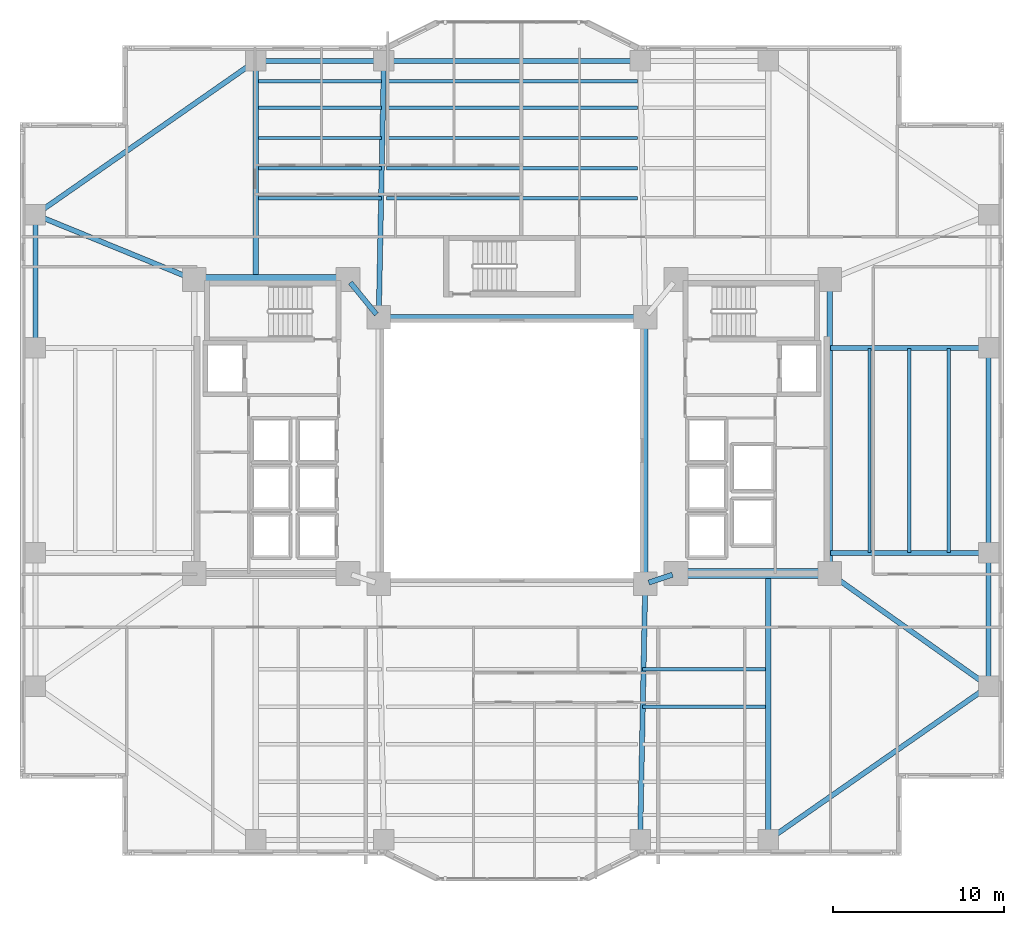
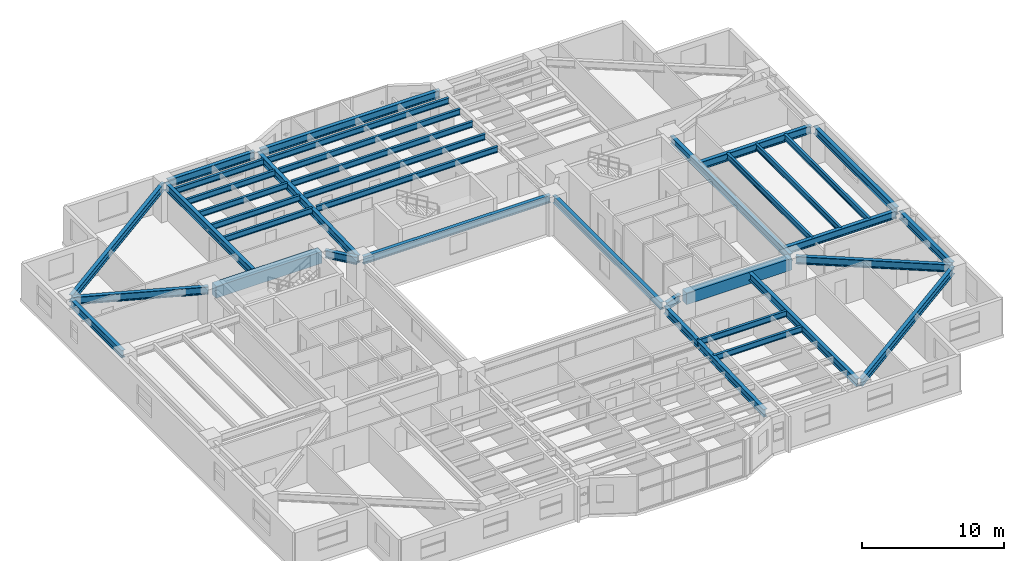
# One storey, part 5 of 19: 37 beams.
"""IFC4 building model written with IfcOpenShell, lengths in metres."""

import ifcopenshell
import ifcopenshell.guid

model = None  # the IFC model being written
_history = None  # IfcOwnerHistory: only IFC2X3 demands one
_inside = {}  # id of a spatial element -> (the spatial element, [elements in it])
_under = {}  # id of a project, library or spatial element -> (it, [spatial elements below it])
_declared = {}  # id of a project -> (the project, [libraries it declares])
_typed = {}  # id of a type object -> (the type object, [elements of that type])
_made_of = {}  # id of a material, layer set ... -> (it, [elements and type objects made of it])


def new_model(schema):
    """Start an empty IFC model of exactly this schema.

    Asked for "IFC4X3", IfcOpenShell would pick the latest addendum, in which some entities
    have other attributes; the version numbers below select the first issue.
    IFC2X3 requires an IfcOwnerHistory on every rooted entity: one is made here for all.
    """
    global model, _history
    if schema == "IFC4X3":
        model = ifcopenshell.file(schema_version=(4, 3, 0, 0))
    else:
        model = ifcopenshell.file(schema=schema)
    _inside.clear()
    _under.clear()
    _declared.clear()
    _typed.clear()
    _made_of.clear()
    _history = None
    if model.schema == "IFC2X3":
        org = make("IfcOrganization", Name="unknown")
        user = make(
            "IfcPersonAndOrganization",
            ThePerson=make("IfcPerson", FamilyName="unknown"),
            TheOrganization=org,
        )
        app = make(
            "IfcApplication",
            ApplicationDeveloper=org,
            Version="unknown",
            ApplicationFullName="unknown",
            ApplicationIdentifier="unknown",
        )
        _history = make(
            "IfcOwnerHistory",
            OwningUser=user,
            OwningApplication=app,
            ChangeAction="ADDED",
            CreationDate=0,
        )
    return model


def make(cls, **values):
    """One entity of the class cls with the attributes given. An attribute that is None is left unset."""
    return model.create_entity(
        cls, **{name: value for name, value in values.items() if value is not None}
    )


def rooted(cls, **values):
    """An entity with a GlobalId (a new one), such as an element, a storey or a relation."""
    return make(cls, GlobalId=ifcopenshell.guid.new(), OwnerHistory=_history, **values)


def si_unit(unit_type, name, prefix=None):
    """IfcSIUnit, for example si_unit("LENGTHUNIT", "METRE", prefix="MILLI")."""
    return make("IfcSIUnit", UnitType=unit_type, Prefix=prefix, Name=name)


def assignment(units):
    """IfcUnitAssignment: the units of a project."""
    return None if units is None else make("IfcUnitAssignment", Units=units)


def point(xyz):
    """IfcCartesianPoint."""
    return None if xyz is None else make("IfcCartesianPoint", Coordinates=xyz)


def direction(xyz):
    """IfcDirection."""
    return None if xyz is None else make("IfcDirection", DirectionRatios=xyz)


def frame(location, z_axis=None, x_axis=None):
    """IfcAxis2Placement3D, a coordinate frame: its origin and axes. An axis left out is left unset."""
    return make(
        "IfcAxis2Placement3D",
        Location=point(location),
        Axis=direction(z_axis),
        RefDirection=direction(x_axis),
    )


def frame_2d(location, x_axis=None):
    """IfcAxis2Placement2D, a coordinate frame in the plane: its origin and x axis."""
    return make(
        "IfcAxis2Placement2D", Location=point(location), RefDirection=direction(x_axis)
    )


def origin():
    """The frame at (0, 0, 0) with its axes left unset."""
    return frame((0.0, 0.0, 0.0))


def origin_2d():
    """The frame at (0, 0) in the plane with its x axis left unset."""
    return frame_2d((0.0, 0.0))


def place(relative_to, where):
    """IfcLocalPlacement: puts the frame where relative to a parent placement (None: the world)."""
    return make(
        "IfcLocalPlacement", PlacementRelTo=relative_to, RelativePlacement=where
    )


def context(
    kind, dimensions, precision=None, world=None, true_north=None, identifier=None
):
    """IfcGeometricRepresentationContext, for example the 3D "Model" context."""
    return make(
        "IfcGeometricRepresentationContext",
        ContextIdentifier=identifier,
        ContextType=kind,
        CoordinateSpaceDimension=dimensions,
        Precision=precision,
        WorldCoordinateSystem=world,
        TrueNorth=true_north,
    )


def subcontext(parent, identifier, kind, view, scale=None):
    """IfcGeometricRepresentationSubContext, for example "Body" below "Model"."""
    return make(
        "IfcGeometricRepresentationSubContext",
        ContextIdentifier=identifier,
        ContextType=kind,
        ParentContext=parent,
        TargetScale=scale,
        TargetView=view,
    )


def project(units=None, contexts=None):
    """IfcProject with its units and contexts."""
    return rooted(
        "IfcProject",
        Name="project",
        RepresentationContexts=contexts,
        UnitsInContext=assignment(units),
    )


def spatial(cls, under=None, at=None, **own):
    """A site, building, storey or space (cls), placed at a placement, below another one or the project."""
    s = rooted(cls, ObjectPlacement=at, **own)
    if under is not None:
        _under.setdefault(under.id(), (under, []))[1].append(s)
    return s


def profile(cls, at=None, kind="AREA", **sizes):
    """A parametric profile (cls). Its sizes go by their IFC names, for example OverallWidth=200.0."""
    return make(cls, ProfileType=kind, Position=at, **sizes)


def rectangle(**sizes):
    """IfcRectangleProfileDef."""
    return profile("IfcRectangleProfileDef", **sizes)


def i_section(**sizes):
    """IfcIShapeProfileDef."""
    return profile("IfcIShapeProfileDef", **sizes)


def extrude(swept, where, along, depth):
    """IfcExtrudedAreaSolid: the profile swept, set in the frame where, extruded along a direction by depth."""
    return make(
        "IfcExtrudedAreaSolid",
        SweptArea=swept,
        Position=where,
        ExtrudedDirection=direction(along),
        Depth=depth,
    )


def shape(context_of_items, identifier, shape_type, items):
    """IfcShapeRepresentation: the items that make up one representation, for example the "Body"."""
    return make(
        "IfcShapeRepresentation",
        ContextOfItems=context_of_items,
        RepresentationIdentifier=identifier,
        RepresentationType=shape_type,
        Items=items,
    )


def material(Name=None, Category=None):
    """IfcMaterial."""
    return make("IfcMaterial", Name=Name, Category=Category)


def material_profile(
    of_material, cross_section, Name=None, Category=None, Priority=None
):
    """IfcMaterialProfile: a cross section and its material."""
    return make(
        "IfcMaterialProfile",
        Name=Name,
        Material=of_material,
        Profile=cross_section,
        Priority=Priority,
        Category=Category,
    )


def profile_set(profiles, Name=None, composite=None):
    """IfcMaterialProfileSet."""
    return make(
        "IfcMaterialProfileSet",
        Name=Name,
        MaterialProfiles=profiles,
        CompositeProfile=composite,
    )


def made_of(thing, what):
    """Note that an element or type object is made of a material, layer set ...; save() writes the relation."""
    if what is not None:
        _made_of.setdefault(what.id(), (what, []))[1].append(thing)
    return thing


def type_object(cls, material=None, **own):
    """A type object (cls), such as IfcWallType, which elements share."""
    return made_of(rooted(cls, **own), material)


def element(
    cls,
    number,
    at=None,
    inside=None,
    cuts=None,
    type_object=None,
    material=None,
    context=None,
    identifier="Body",
    shape_type=None,
    held_by="IfcProductDefinitionShape",
    body=None,
    shapes=None,
    **own,
):
    """One element of the class cls, such as IfcWall. Its Tag is "e" and its number.

    at: its placement. inside: the storey or other place that contains it. cuts: it is an
    opening in that element (IfcRelVoidsElement). A single representation is given by context,
    identifier, shape_type and body (its items); several are given by shapes. held_by: the class
    of the entity that holds the representations. save() writes the other relations.
    """
    e = rooted(cls, Tag="e%d" % number, ObjectPlacement=at, **own)
    if body is not None:
        shapes = [shape(context, identifier, shape_type, body)]
    if shapes is not None:
        e.Representation = make(held_by, Representations=shapes)
    if inside is not None:
        _inside.setdefault(inside.id(), (inside, []))[1].append(e)
    if cuts is not None:
        rooted(
            "IfcRelVoidsElement", RelatingBuildingElement=cuts, RelatedOpeningElement=e
        )
    if type_object is not None:
        _typed.setdefault(type_object.id(), (type_object, []))[1].append(e)
    return made_of(e, material)


def aggregate(whole, parts):
    """IfcRelAggregates: a whole, such as a stair, and the parts it consists of."""
    return rooted("IfcRelAggregates", RelatingObject=whole, RelatedObjects=parts)


def save(model, path):
    """Write the relations noted so far, then the file.

    IfcRelAggregates (storeys below a building ...), IfcRelContainedInSpatialStructure (elements
    in a storey), IfcRelDefinesByType, IfcRelAssociatesMaterial and IfcRelDeclares: one each for
    every whole, place, type object, material and project.
    """
    for whole, parts in _under.values():
        aggregate(whole, parts)
    for where, things in _inside.values():
        rooted(
            "IfcRelContainedInSpatialStructure",
            RelatedElements=things,
            RelatingStructure=where,
        )
    for kind, things in _typed.values():
        rooted("IfcRelDefinesByType", RelatedObjects=things, RelatingType=kind)
    for what, things in _made_of.values():
        rooted("IfcRelAssociatesMaterial", RelatedObjects=things, RelatingMaterial=what)
    for by, libraries in _declared.values():
        rooted("IfcRelDeclares", RelatingContext=by, RelatedDefinitions=libraries)
    model.write(path)


model = new_model("IFC4")

# Units and contexts
model_context = context("Model", 3, precision=1e-05, world=origin(), true_north=direction((0.0, 1.0)))
body_context = subcontext(model_context, "Body", "Model", "MODEL_VIEW")
ifc_project = project(units=[si_unit("LENGTHUNIT", "METRE"), si_unit("AREAUNIT", "SQUARE_METRE"), si_unit("VOLUMEUNIT", "CUBIC_METRE"), si_unit("PLANEANGLEUNIT", "RADIAN"), si_unit("MASSUNIT", "GRAM", prefix="KILO")], contexts=[model_context])

# Site, building, storey
site_placement = place(None, origin())
site = spatial("IfcSite", under=ifc_project, at=site_placement, CompositionType="ELEMENT")
building_placement = place(site_placement, origin())
building = spatial("IfcBuilding", under=site, at=building_placement, Name="Tarnavaz Court Tower", CompositionType="ELEMENT")
storey_placement = place(building_placement, frame((0.0, 0.0, 54.14990234375)))
storey = spatial("IfcBuildingStorey", under=building, at=storey_placement, Name="L14", CompositionType="ELEMENT", Elevation=54.14990234375)

# Beams
ifc_material_1 = material(Name="Concrete C60/75", Category="concrete")
ifc_material_profile_1 = material_profile(ifc_material_1, rectangle(XDim=0.60009765625, YDim=1.0, at=origin_2d()), Name="RC 600X1000")
ifc_profile_set_1 = profile_set([ifc_material_profile_1], Name="Concrete C60/75")
beam_type_1 = type_object("IfcBeamType", Name="BM-CB1000", PredefinedType="LINTEL", material=ifc_profile_set_1)
for number, where, z_axis, x_axis, name in (
    (1, (-18.3798828125, 10.0, 2.60009765625), (1.0, 0.0, 0.0), (0.0, 1.0, 0.0), "L14 Beam IN-CW-NO-CW-NI"),
    (2, (18.3798828125, -7.199951171875, 2.60009765625), (-1.0, 0.0, 0.0), (0.0, -1.0, 0.0), "L14 Beam IN-CE-SO-CE-SI"),
):
    element("IfcBeam", number, at=place(storey_placement, frame(where, z_axis=z_axis, x_axis=x_axis)), inside=storey, type_object=beam_type_1, Name=name, PredefinedType="LINTEL", context=body_context, shape_type="SweptSolid", body=[
        extrude(rectangle(XDim=0.60009765625, YDim=1.0, at=origin_2d()), origin(), (0.0, 0.0, 1.0), 8.559814453125),
    ])
ifc_material_2 = material(Name="Steel S355", Category="steel")
ifc_material_profile_2 = material_profile(ifc_material_2, i_section(OverallWidth=0.300048828125, OverallDepth=0.64990234375, WebThickness=0.01611328125, FlangeThickness=0.031005859375, FilletRadius=0.027099609375, at=origin_2d()), Name="HEB 650")
ifc_profile_set_2 = profile_set([ifc_material_profile_2], Name="Steel S355")
beam_type_2 = type_object("IfcBeamType", Name="BM-G-HEB650", PredefinedType="USERDEFINED", material=ifc_profile_set_2)
beam_1_placement = place(storey_placement, frame((9.391357421875, -7.26953125, 2.775146484375), z_axis=(-0.948666544706, -0.316278021615, 0.0), x_axis=(0.316278021615, -0.948666544706, 0.0)))
element("IfcBeam", 3, at=beam_1_placement, inside=storey, type_object=beam_type_2, Name="L14 Beam IN-CE-SI-IW-SE", ObjectType="GIRDER", PredefinedType="USERDEFINED", context=body_context, shape_type="SweptSolid", body=[
    extrude(i_section(OverallWidth=0.300048828125, OverallDepth=0.64990234375, WebThickness=0.01611328125, FlangeThickness=0.031005859375, FilletRadius=0.027099609375, at=origin_2d()), origin(), (0.0, 0.0, 1.0), 1.457275390625),
])
beam_2_placement = place(storey_placement, frame((-9.460693359375, 9.82958984375, 2.775146484375), z_axis=(0.633282058357, -0.773921077735, 0.0), x_axis=(0.773921077735, 0.633282058357, 0.0)))
element("IfcBeam", 4, at=beam_2_placement, inside=storey, type_object=beam_type_2, Name="L14 Beam IN-CW-NI-IW-NW", ObjectType="GIRDER", PredefinedType="USERDEFINED", context=body_context, shape_type="SweptSolid", body=[
    extrude(i_section(OverallWidth=0.300048828125, OverallDepth=0.64990234375, WebThickness=0.01611328125, FlangeThickness=0.031005859375, FilletRadius=0.027099609375, at=origin_2d()), origin(), (0.0, 0.0, 1.0), 2.402587890625),
])
beam_3_placement = place(storey_placement, frame((18.60009765625, -6.97998046875, 2.775146484375), z_axis=(0.0, 1.0, 0.0), x_axis=(-1.0, 0.0, 0.0)))
element("IfcBeam", 5, at=beam_3_placement, inside=storey, type_object=beam_type_2, Name="L14 Beam IN-CE-SO-CE-NO", ObjectType="GIRDER", PredefinedType="USERDEFINED", context=body_context, shape_type="SweptSolid", body=[
    extrude(i_section(OverallWidth=0.300048828125, OverallDepth=0.64990234375, WebThickness=0.01611328125, FlangeThickness=0.031005859375, FilletRadius=0.027099609375, at=origin_2d()), origin(), (0.0, 0.0, 1.0), 16.760009765625),
])
beam_4_placement = place(storey_placement, frame((-15.0, 10.0400390625, 2.775146484375), z_axis=(0.0, 1.0, 0.0), x_axis=(-1.0, 0.0, 0.0)))
element("IfcBeam", 6, at=beam_4_placement, inside=storey, type_object=beam_type_2, Name="L14 Beam RG-01", ObjectType="GIRDER", PredefinedType="USERDEFINED", context=body_context, shape_type="SweptSolid", body=[
    extrude(i_section(OverallWidth=0.300048828125, OverallDepth=0.64990234375, WebThickness=0.01611328125, FlangeThickness=0.031005859375, FilletRadius=0.027099609375, at=origin_2d()), origin(), (0.0, 0.0, 1.0), 12.5400390625),
])
for number, where, z_axis, x_axis, name in (
    (7, (-7.795654296875, 8.02001953125, 2.775146484375), (0.020000023066, 0.999799979535, 0.0), (-0.999799979535, 0.020000023066, 0.0), "L14 Beam RG-02"),
    (8, (7.795654296875, -8.02001953125, 2.775146484375), (-0.020000023066, -0.999799979535, 0.0), (0.999799979535, -0.020000023066, 0.0), "L14 Beam RG-07"),
):
    element("IfcBeam", number, at=place(storey_placement, frame(where, z_axis=z_axis, x_axis=x_axis)), inside=storey, type_object=beam_type_2, Name=name, ObjectType="GIRDER", PredefinedType="USERDEFINED", context=body_context, shape_type="SweptSolid", body=[
        extrude(i_section(OverallWidth=0.300048828125, OverallDepth=0.64990234375, WebThickness=0.01611328125, FlangeThickness=0.031005859375, FilletRadius=0.027099609375, at=origin_2d()), origin(), (0.0, 0.0, 1.0), 14.56298828125),
    ])
beam_5_placement = place(storey_placement, frame((15.0, -7.239990234375, 2.775146484375), z_axis=(0.0, -1.0, 0.0), x_axis=(1.0, 0.0, 0.0)))
element("IfcBeam", 9, at=beam_5_placement, inside=storey, type_object=beam_type_2, Name="L14 Beam RG-08", ObjectType="GIRDER", PredefinedType="USERDEFINED", context=body_context, shape_type="SweptSolid", body=[
    extrude(i_section(OverallWidth=0.300048828125, OverallDepth=0.64990234375, WebThickness=0.01611328125, FlangeThickness=0.031005859375, FilletRadius=0.027099609375, at=origin_2d()), origin(), (0.0, 0.0, 1.0), 15.340087890625),
])
for number, where, z_axis, x_axis, name in (
    (10, (18.639892578125, -6.0, 2.775146484375), (1.0, 0.0, 0.0), (0.0, 1.0, 0.0), "L14 Beam RG-09"),
    (11, (18.639892578125, 6.0, 2.775146484375), (1.0, 0.0, 0.0), (0.0, 1.0, 0.0), "L14 Beam RG-10"),
):
    element("IfcBeam", number, at=place(storey_placement, frame(where, z_axis=z_axis, x_axis=x_axis)), inside=storey, type_object=beam_type_2, Name=name, ObjectType="GIRDER", PredefinedType="USERDEFINED", context=body_context, shape_type="SweptSolid", body=[
        extrude(i_section(OverallWidth=0.300048828125, OverallDepth=0.64990234375, WebThickness=0.01611328125, FlangeThickness=0.031005859375, FilletRadius=0.027099609375, at=origin_2d()), origin(), (0.0, 0.0, 1.0), 9.0400390625),
    ])
beam_6_placement = place(storey_placement, frame((18.779296875, -7.327392578125, 2.775146484375), z_axis=(0.815520027245, -0.578728852886, 0.0), x_axis=(0.578728852886, 0.815520027245, 0.0)))
element("IfcBeam", 12, at=beam_6_placement, inside=storey, type_object=beam_type_2, Name="L14 Beam RG-11", ObjectType="GIRDER", PredefinedType="USERDEFINED", context=body_context, shape_type="SweptSolid", body=[
    extrude(i_section(OverallWidth=0.300048828125, OverallDepth=0.64990234375, WebThickness=0.01611328125, FlangeThickness=0.031005859375, FilletRadius=0.027099609375, at=origin_2d()), origin(), (0.0, 0.0, 1.0), 10.964111328125),
])
beam_7_placement = place(storey_placement, frame((-18.8037109375, 10.083251953125, 2.775146484375), z_axis=(-0.925704761705, 0.378246869329, 0.0), x_axis=(-0.378246869329, -0.925704761705, 0.0)))
element("IfcBeam", 13, at=beam_7_placement, inside=storey, type_object=beam_type_2, Name="L14 Beam RG-16", ObjectType="GIRDER", PredefinedType="USERDEFINED", context=body_context, shape_type="SweptSolid", body=[
    extrude(i_section(OverallWidth=0.300048828125, OverallDepth=0.64990234375, WebThickness=0.01611328125, FlangeThickness=0.031005859375, FilletRadius=0.027099609375, at=origin_2d()), origin(), (0.0, 0.0, 1.0), 9.606201171875),
])
ifc_material_profile_3 = material_profile(ifc_material_2, i_section(OverallWidth=0.199951171875, OverallDepth=0.5, WebThickness=0.01025390625, FlangeThickness=0.01611328125, FilletRadius=0.02099609375, at=origin_2d()), Name="IPE 500")
ifc_profile_set_3 = profile_set([ifc_material_profile_3], Name="Steel S355")
beam_type_3 = type_object("IfcBeamType", Name="BM-J-IPE500", PredefinedType="JOIST", material=ifc_profile_set_3)
beam_8_placement = place(storey_placement, frame((-14.85009765625, 14.763916015625, 2.85009765625), z_axis=(1.0, 0.0, 0.0), x_axis=(0.0, 1.0, 0.0)))
element("IfcBeam", 14, at=beam_8_placement, inside=storey, type_object=beam_type_3, Name="L14 Beam JN1-1", PredefinedType="JOIST", context=body_context, shape_type="SweptSolid", body=[
    extrude(i_section(OverallWidth=0.199951171875, OverallDepth=0.5, WebThickness=0.01025390625, FlangeThickness=0.01611328125, FilletRadius=0.02099609375, at=origin_2d()), origin(), (0.0, 0.0, 1.0), 7.2001953125),
])
beam_9_placement = place(storey_placement, frame((-7.35009765625, 14.763916015625, 2.85009765625), z_axis=(1.0, 0.0, 0.0), x_axis=(0.0, 1.0, 0.0)))
element("IfcBeam", 15, at=beam_9_placement, inside=storey, type_object=beam_type_3, Name="L14 Beam JN1-2", PredefinedType="JOIST", context=body_context, shape_type="SweptSolid", body=[
    extrude(i_section(OverallWidth=0.199951171875, OverallDepth=0.5, WebThickness=0.01025390625, FlangeThickness=0.01611328125, FilletRadius=0.02099609375, at=origin_2d()), origin(), (0.0, 0.0, 1.0), 14.7001953125),
])
for number, where, z_axis, x_axis, name in (
    (16, (7.64990234375, -12.7958984375, 2.85009765625), (1.0, 0.0, 0.0), (0.0, 1.0, 0.0), "L14 Beam JS1-3"),
    (17, (-14.85009765625, 16.528076171875, 2.85009765625), (1.0, 0.0, 0.0), (0.0, 1.0, 0.0), "L14 Beam JN2-1"),
):
    element("IfcBeam", number, at=place(storey_placement, frame(where, z_axis=z_axis, x_axis=x_axis)), inside=storey, type_object=beam_type_3, Name=name, PredefinedType="JOIST", context=body_context, shape_type="SweptSolid", body=[
        extrude(i_section(OverallWidth=0.199951171875, OverallDepth=0.5, WebThickness=0.01025390625, FlangeThickness=0.01611328125, FilletRadius=0.02099609375, at=origin_2d()), origin(), (0.0, 0.0, 1.0), 7.2001953125),
    ])
beam_10_placement = place(storey_placement, frame((-7.35009765625, 16.528076171875, 2.85009765625), z_axis=(1.0, 0.0, 0.0), x_axis=(0.0, 1.0, 0.0)))
element("IfcBeam", 18, at=beam_10_placement, inside=storey, type_object=beam_type_3, Name="L14 Beam JN2-2", PredefinedType="JOIST", context=body_context, shape_type="SweptSolid", body=[
    extrude(i_section(OverallWidth=0.199951171875, OverallDepth=0.5, WebThickness=0.01025390625, FlangeThickness=0.01611328125, FilletRadius=0.02099609375, at=origin_2d()), origin(), (0.0, 0.0, 1.0), 14.7001953125),
])
for number, where, z_axis, x_axis, name in (
    (19, (7.64990234375, -14.991943359375, 2.85009765625), (1.0, 0.0, 0.0), (0.0, 1.0, 0.0), "L14 Beam JS2-3"),
    (20, (-14.85009765625, 18.2919921875, 2.85009765625), (1.0, 0.0, 0.0), (0.0, 1.0, 0.0), "L14 Beam JN3-1"),
):
    element("IfcBeam", number, at=place(storey_placement, frame(where, z_axis=z_axis, x_axis=x_axis)), inside=storey, type_object=beam_type_3, Name=name, PredefinedType="JOIST", context=body_context, shape_type="SweptSolid", body=[
        extrude(i_section(OverallWidth=0.199951171875, OverallDepth=0.5, WebThickness=0.01025390625, FlangeThickness=0.01611328125, FilletRadius=0.02099609375, at=origin_2d()), origin(), (0.0, 0.0, 1.0), 7.2001953125),
    ])
beam_11_placement = place(storey_placement, frame((-7.35009765625, 18.2919921875, 2.85009765625), z_axis=(1.0, 0.0, 0.0), x_axis=(0.0, 1.0, 0.0)))
element("IfcBeam", 21, at=beam_11_placement, inside=storey, type_object=beam_type_3, Name="L14 Beam JN3-2", PredefinedType="JOIST", context=body_context, shape_type="SweptSolid", body=[
    extrude(i_section(OverallWidth=0.199951171875, OverallDepth=0.5, WebThickness=0.01025390625, FlangeThickness=0.01611328125, FilletRadius=0.02099609375, at=origin_2d()), origin(), (0.0, 0.0, 1.0), 14.7001953125),
])
beam_12_placement = place(storey_placement, frame((-14.85009765625, 20.055908203125, 2.85009765625), z_axis=(1.0, 0.0, 0.0), x_axis=(0.0, 1.0, 0.0)))
element("IfcBeam", 22, at=beam_12_placement, inside=storey, type_object=beam_type_3, Name="L14 Beam JN4-1", PredefinedType="JOIST", context=body_context, shape_type="SweptSolid", body=[
    extrude(i_section(OverallWidth=0.199951171875, OverallDepth=0.5, WebThickness=0.01025390625, FlangeThickness=0.01611328125, FilletRadius=0.02099609375, at=origin_2d()), origin(), (0.0, 0.0, 1.0), 7.2001953125),
])
beam_13_placement = place(storey_placement, frame((-7.35009765625, 20.055908203125, 2.85009765625), z_axis=(1.0, 0.0, 0.0), x_axis=(0.0, 1.0, 0.0)))
element("IfcBeam", 23, at=beam_13_placement, inside=storey, type_object=beam_type_3, Name="L14 Beam JN4-2", PredefinedType="JOIST", context=body_context, shape_type="SweptSolid", body=[
    extrude(i_section(OverallWidth=0.199951171875, OverallDepth=0.5, WebThickness=0.01025390625, FlangeThickness=0.01611328125, FilletRadius=0.02099609375, at=origin_2d()), origin(), (0.0, 0.0, 1.0), 14.7001953125),
])
beam_14_placement = place(storey_placement, frame((-14.85009765625, 21.6240234375, 2.85009765625), z_axis=(1.0, 0.0, 0.0), x_axis=(0.0, 1.0, 0.0)))
element("IfcBeam", 24, at=beam_14_placement, inside=storey, type_object=beam_type_3, Name="L14 Beam JN5-1", PredefinedType="JOIST", context=body_context, shape_type="SweptSolid", body=[
    extrude(i_section(OverallWidth=0.199951171875, OverallDepth=0.5, WebThickness=0.01025390625, FlangeThickness=0.01611328125, FilletRadius=0.02099609375, at=origin_2d()), origin(), (0.0, 0.0, 1.0), 7.2001953125),
])
beam_15_placement = place(storey_placement, frame((-7.35009765625, 21.6240234375, 2.85009765625), z_axis=(1.0, 0.0, 0.0), x_axis=(0.0, 1.0, 0.0)))
element("IfcBeam", 25, at=beam_15_placement, inside=storey, type_object=beam_type_3, Name="L14 Beam JN5-2", PredefinedType="JOIST", context=body_context, shape_type="SweptSolid", body=[
    extrude(i_section(OverallWidth=0.199951171875, OverallDepth=0.5, WebThickness=0.01025390625, FlangeThickness=0.01611328125, FilletRadius=0.02099609375, at=origin_2d()), origin(), (0.0, 0.0, 1.0), 14.7001953125),
])
for number, where, z_axis, x_axis, name in (
    (26, (20.925048828125, -5.9599609375, 2.85009765625), (0.0, 1.0, 0.0), (-1.0, 0.0, 0.0), "L14 Beam JE1"),
    (27, (23.25, -5.9599609375, 2.85009765625), (0.0, 1.0, 0.0), (-1.0, 0.0, 0.0), "L14 Beam JE2"),
    (28, (25.574951171875, -5.9599609375, 2.85009765625), (0.0, 1.0, 0.0), (-1.0, 0.0, 0.0), "L14 Beam JE3"),
):
    element("IfcBeam", number, at=place(storey_placement, frame(where, z_axis=z_axis, x_axis=x_axis)), inside=storey, type_object=beam_type_3, Name=name, PredefinedType="JOIST", context=body_context, shape_type="SweptSolid", body=[
        extrude(i_section(OverallWidth=0.199951171875, OverallDepth=0.5, WebThickness=0.01025390625, FlangeThickness=0.01611328125, FilletRadius=0.02099609375, at=origin_2d()), origin(), (0.0, 0.0, 1.0), 11.919921875),
    ])
ifc_material_profile_4 = material_profile(ifc_material_2, i_section(OverallWidth=0.300048828125, OverallDepth=0.639892578125, WebThickness=0.013427734375, FlangeThickness=0.02587890625, FilletRadius=0.027099609375, at=origin_2d()), Name="HEA 650")
ifc_profile_set_4 = profile_set([ifc_material_profile_4], Name="Steel S355")
beam_type_4 = type_object("IfcBeamType", Name="BM-SP-HEA650", PredefinedType="SPANDREL", material=ifc_profile_set_4)
for number, where, z_axis, x_axis, name in (
    (29, (-7.580078125, 7.800048828125, 2.780029296875), (1.0, 0.0, 0.0), (0.0, 1.0, 0.0), "L14 Beam IN-IW-NW-IW-NE"),
    (30, (7.800048828125, -7.580078125, 2.780029296875), (0.0, 1.0, 0.0), (-1.0, 0.0, 0.0), "L14 Beam IN-IW-SE-IW-NE"),
):
    element("IfcBeam", number, at=place(storey_placement, frame(where, z_axis=z_axis, x_axis=x_axis)), inside=storey, type_object=beam_type_4, Name=name, PredefinedType="SPANDREL", context=body_context, shape_type="SweptSolid", body=[
        extrude(i_section(OverallWidth=0.300048828125, OverallDepth=0.639892578125, WebThickness=0.013427734375, FlangeThickness=0.02587890625, FilletRadius=0.027099609375, at=origin_2d()), origin(), (0.0, 0.0, 1.0), 15.16015625),
    ])
beam_16_placement = place(storey_placement, frame((-14.780029296875, 22.800048828125, 2.780029296875), z_axis=(1.0, 0.0, 0.0), x_axis=(0.0, 1.0, 0.0)))
element("IfcBeam", 31, at=beam_16_placement, inside=storey, type_object=beam_type_4, Name="L14 Beam PR-PN-1-PN-2", PredefinedType="SPANDREL", context=body_context, shape_type="SweptSolid", body=[
    extrude(i_section(OverallWidth=0.300048828125, OverallDepth=0.639892578125, WebThickness=0.013427734375, FlangeThickness=0.02587890625, FilletRadius=0.027099609375, at=origin_2d()), origin(), (0.0, 0.0, 1.0), 7.06005859375),
])
beam_17_placement = place(storey_placement, frame((-7.280029296875, 22.800048828125, 2.780029296875), z_axis=(1.0, 0.0, 0.0), x_axis=(0.0, 1.0, 0.0)))
element("IfcBeam", 32, at=beam_17_placement, inside=storey, type_object=beam_type_4, Name="L14 Beam PR-PN-2-PN-3", PredefinedType="SPANDREL", context=body_context, shape_type="SweptSolid", body=[
    extrude(i_section(OverallWidth=0.300048828125, OverallDepth=0.639892578125, WebThickness=0.013427734375, FlangeThickness=0.02587890625, FilletRadius=0.027099609375, at=origin_2d()), origin(), (0.0, 0.0, 1.0), 14.56005859375),
])
beam_18_placement = place(storey_placement, frame((27.89990234375, -13.580078125, 2.780029296875), z_axis=(0.0, 1.0, 0.0), x_axis=(-1.0, 0.0, 0.0)))
element("IfcBeam", 33, at=beam_18_placement, inside=storey, type_object=beam_type_4, Name="L14 Beam PR-PE-1-PE-2", PredefinedType="SPANDREL", context=body_context, shape_type="SweptSolid", body=[
    extrude(i_section(OverallWidth=0.300048828125, OverallDepth=0.639892578125, WebThickness=0.013427734375, FlangeThickness=0.02587890625, FilletRadius=0.027099609375, at=origin_2d()), origin(), (0.0, 0.0, 1.0), 7.360107421875),
])
beam_19_placement = place(storey_placement, frame((27.89990234375, -5.780029296875, 2.780029296875), z_axis=(0.0, 1.0, 0.0), x_axis=(-1.0, 0.0, 0.0)))
element("IfcBeam", 34, at=beam_19_placement, inside=storey, type_object=beam_type_4, Name="L14 Beam PR-PE-2-PE-3", PredefinedType="SPANDREL", context=body_context, shape_type="SweptSolid", body=[
    extrude(i_section(OverallWidth=0.300048828125, OverallDepth=0.639892578125, WebThickness=0.013427734375, FlangeThickness=0.02587890625, FilletRadius=0.027099609375, at=origin_2d()), origin(), (0.0, 0.0, 1.0), 11.56005859375),
])
beam_20_placement = place(storey_placement, frame((-27.89990234375, 6.219970703125, 2.780029296875), z_axis=(0.0, 1.0, 0.0), x_axis=(-1.0, 0.0, 0.0)))
element("IfcBeam", 35, at=beam_20_placement, inside=storey, type_object=beam_type_4, Name="L14 Beam PR-PW-3-PW-4", PredefinedType="SPANDREL", context=body_context, shape_type="SweptSolid", body=[
    extrude(i_section(OverallWidth=0.300048828125, OverallDepth=0.639892578125, WebThickness=0.013427734375, FlangeThickness=0.02587890625, FilletRadius=0.027099609375, at=origin_2d()), origin(), (0.0, 0.0, 1.0), 7.360107421875),
])
for number, where, z_axis, x_axis, name in (
    (36, (27.719482421875, -13.92578125, 2.780029296875), (-0.820123643324, -0.572186341729, 0.0), (0.572186341729, -0.820123643324, 0.0), "L14 Beam PR-PE-1-PS-4"),
    (37, (-27.719482421875, 13.92578125, 2.780029296875), (0.820123643324, 0.572186341729, 0.0), (-0.572186341729, 0.820123643324, 0.0), "L14 Beam PR-PW-4-PN-1"),
):
    element("IfcBeam", number, at=place(storey_placement, frame(where, z_axis=z_axis, x_axis=x_axis)), inside=storey, type_object=beam_type_4, Name=name, PredefinedType="SPANDREL", context=body_context, shape_type="SweptSolid", body=[
        extrude(i_section(OverallWidth=0.300048828125, OverallDepth=0.639892578125, WebThickness=0.013427734375, FlangeThickness=0.02587890625, FilletRadius=0.027099609375, at=origin_2d()), origin(), (0.0, 0.0, 1.0), 15.289306640625),
    ])

save(model, "model.ifc")
